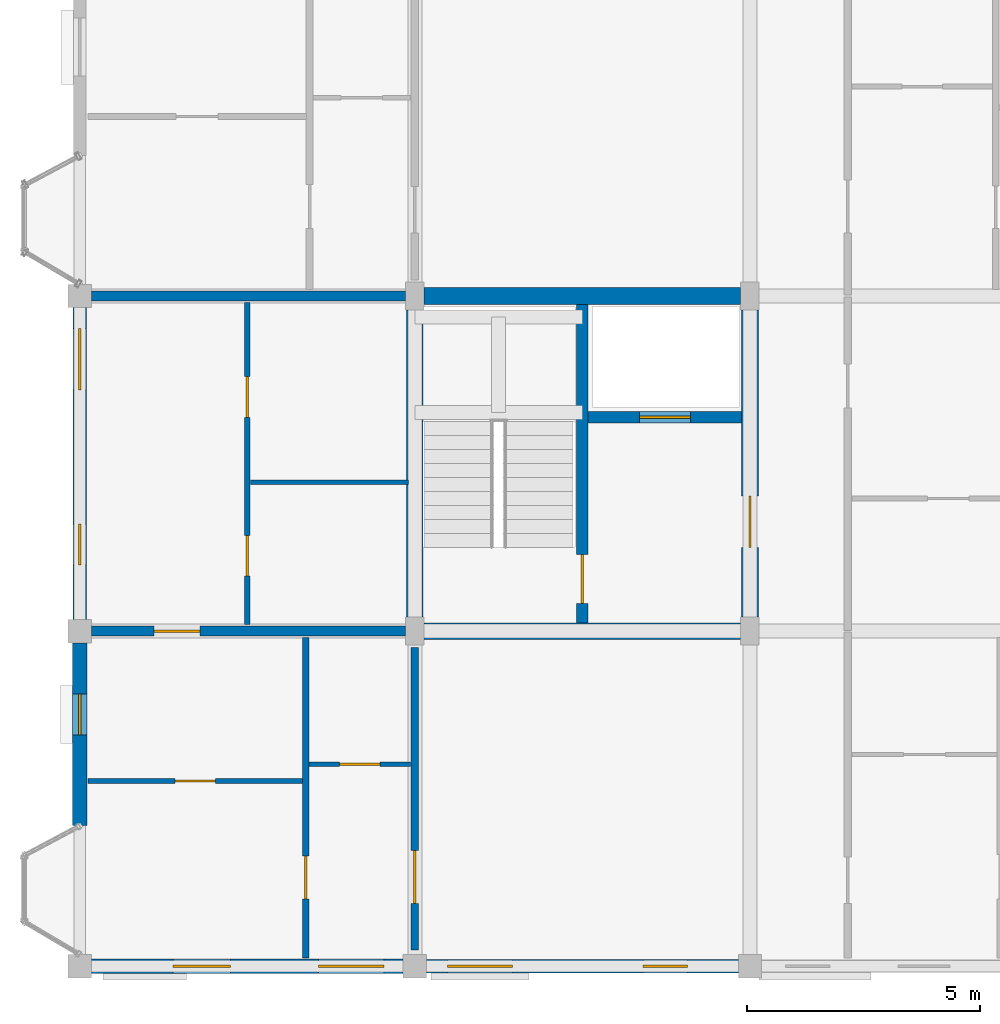
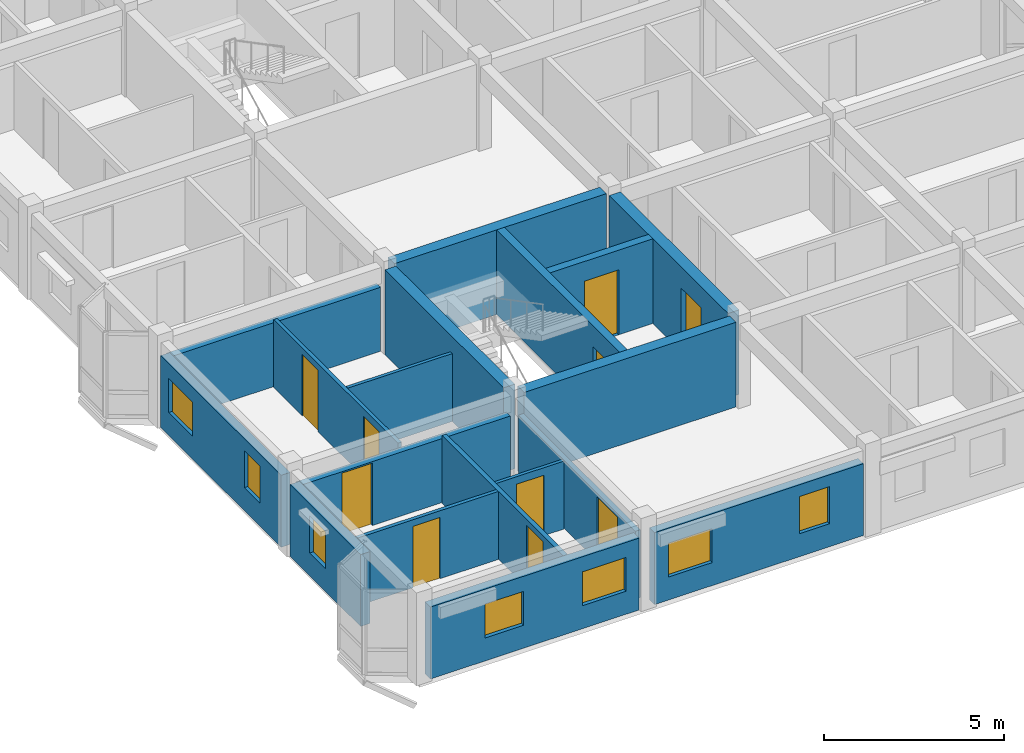
# One storey, part 45 of 65: 18 walls, 10 doors, 7 windows, 17 openings.
"""IFC4 building model written with IfcOpenShell, lengths in metres."""

from ifc_helpers import new_model, si_unit, direction, frame, frame_2d, origin, place, context, subcontext, project, spatial, rectangle, extrude, material, layer, layer_set, type_object, element, fill, save


model = new_model("IFC4")

# Units and contexts
model_context = context("Model", 3, precision=1e-05, world=origin(), true_north=direction((0.0, 1.0)))
body_context = subcontext(model_context, "Body", "Model", "MODEL_VIEW")
ifc_project = project(units=[si_unit("LENGTHUNIT", "METRE"), si_unit("AREAUNIT", "SQUARE_METRE"), si_unit("VOLUMEUNIT", "CUBIC_METRE"), si_unit("PLANEANGLEUNIT", "RADIAN"), si_unit("MASSUNIT", "GRAM", prefix="KILO"), si_unit("THERMODYNAMICTEMPERATUREUNIT", "KELVIN"), si_unit("POWERUNIT", "WATT")], contexts=[model_context])

# Site, building, storey
site_placement = place(None, origin())
site = spatial("IfcSite", under=ifc_project, at=site_placement, CompositionType="ELEMENT")
building_placement = place(site_placement, origin())
building = spatial("IfcBuilding", under=site, at=building_placement, Name="Tavuni Mirador Residences", CompositionType="ELEMENT")
storey_placement = place(building_placement, frame((0.0, 0.0, 29.699951171875)))
storey = spatial("IfcBuildingStorey", under=building, at=storey_placement, Name="L09", CompositionType="ELEMENT", Elevation=29.699951171875)

# Wall, opening, door
ifc_material_1 = material(Name="Precast concrete C40/50", Category="concrete")
ifc_layer_1 = layer(ifc_material_1, 0.25, Name="Precast concrete C40/50", Category="concrete")
ifc_layer_set_1 = layer_set([ifc_layer_1], Name="Precast concrete C40/50")
wall_type_1 = type_object("IfcWallType", Name="WT-COR250", PredefinedType="SHEAR", material=ifc_layer_set_1)
wall_1_placement = place(storey_placement, frame((14.39990234375, 14.580078125, 0.0), z_axis=(0.0, 0.0, 1.0), x_axis=(0.0, 1.0, 0.0)))
wall_1 = element("IfcWall", 1, at=wall_1_placement, inside=storey, type_object=wall_type_1, Name="CWALL-C1-L09-MID", PredefinedType="SHEAR", context=body_context, shape_type="SweptSolid", body=[
    extrude(rectangle(XDim=6.83984375, YDim=0.25, at=frame_2d((3.419921875, 0.0))), origin(), (0.0, 0.0, 1.0), 2.8701171875),
])
opening_1_placement = place(wall_1_placement, frame((0.419921875, 0.0, 0.0)))
opening_1 = element("IfcOpeningElement", 2, at=opening_1_placement, cuts=wall_1, Name="Opening D-01", PredefinedType="OPENING", context=body_context, shape_type="SweptSolid", body=[
    extrude(rectangle(XDim=1.050048828125, YDim=2.14990234375, at=frame_2d((0.52490234375, 1.074951171875))), frame((0.0, 0.135009765625, 0.0), z_axis=(0.0, -1.0, 0.0), x_axis=(1.0, 0.0, 0.0)), (0.0, 0.0, 1.0), 0.27001953125),
])
ifc_material_2 = material(Name="Solid core iroko timber", Category="wood")
door_type_1 = type_object("IfcDoorType", Name="DT-ST1050", OperationType="NOTDEFINED", PredefinedType="DOOR", material=ifc_material_2)
door_1_placement = place(opening_1_placement, origin())
door_1 = element("IfcDoor", 3, at=door_1_placement, inside=storey, type_object=door_type_1, Name="DR-2034", OperationType="SINGLE_SWING_RIGHT", OverallHeight=2.14990234375, OverallWidth=1.050048828125, PredefinedType="DOOR", context=body_context, shape_type="SweptSolid", body=[
    extrude(rectangle(XDim=1.050048828125, YDim=2.14990234375, at=frame_2d((0.52490234375, 1.074951171875))), frame((0.0, 0.02490234375, 0.0), z_axis=(0.0, -1.0, 0.0), x_axis=(1.0, 0.0, 0.0)), (0.0, 0.0, 1.0), 0.050048828125),
])
fill(opening_1, door_1)

wall_2_placement = place(storey_placement, frame((14.52490234375, 19.0, 0.0), z_axis=(0.0, 0.0, 1.0), x_axis=(1.0, 0.0, 0.0)))
wall_2 = element("IfcWall", 4, at=wall_2_placement, inside=storey, type_object=wall_type_1, Name="CWALL-C1-L09-SHF", PredefinedType="SHEAR", context=body_context, shape_type="SweptSolid", body=[
    extrude(rectangle(XDim=3.295166015625, YDim=0.25, at=frame_2d((1.6474609375, 0.0))), origin(), (0.0, 0.0, 1.0), 2.8701171875),
])
opening_2_placement = place(wall_2_placement, frame((1.10009765625, 0.0, 0.0)))
opening_2 = element("IfcOpeningElement", 5, at=opening_2_placement, cuts=wall_2, Name="Opening LD-01", PredefinedType="OPENING", context=body_context, shape_type="SweptSolid", body=[
    extrude(rectangle(XDim=1.10009765625, YDim=2.199951171875, at=frame_2d((0.550048828125, 1.10009765625))), frame((0.0, 0.135009765625, 0.0), z_axis=(0.0, -1.0, 0.0), x_axis=(1.0, 0.0, 0.0)), (0.0, 0.0, 1.0), 0.27001953125),
])
ifc_material_3 = material(Name="Structural steel S355", Category="steel")
door_type_2 = type_object("IfcDoorType", Name="DT-LD-FF", OperationType="SLIDING_TO_LEFT", PredefinedType="DOOR", material=ifc_material_3)
door_2_placement = place(opening_2_placement, origin())
door_2 = element("IfcDoor", 6, at=door_2_placement, inside=storey, type_object=door_type_2, Name="Lift landing door FL-A1 L09", OperationType="SLIDING_TO_LEFT", OverallHeight=2.199951171875, OverallWidth=1.10009765625, PredefinedType="DOOR", context=body_context, shape_type="SweptSolid", body=[
    extrude(rectangle(XDim=1.10009765625, YDim=2.199951171875, at=frame_2d((0.550048828125, 1.10009765625))), frame((0.0, 0.02490234375, 0.0), z_axis=(0.0, -1.0, 0.0), x_axis=(1.0, 0.0, 0.0)), (0.0, 0.0, 1.0), 0.050048828125),
])
fill(opening_2, door_2)

# Walls
ifc_layer_2 = layer(ifc_material_1, 0.360107421875, Name="Precast concrete C40/50", Category="concrete")
ifc_layer_set_2 = layer_set([ifc_layer_2], Name="Precast concrete C40/50")
wall_type_2 = type_object("IfcWallType", Name="WT-COR360", PredefinedType="SHEAR", material=ifc_layer_set_2)
wall_3_placement = place(storey_placement, frame((10.800048828125, 14.699951171875, 0.0), z_axis=(0.0, 0.0, 1.0), x_axis=(0.0, 1.0, 0.0)))
element("IfcWall", 7, at=wall_3_placement, inside=storey, type_object=wall_type_2, Name="CWALL-C1-L09-W", PredefinedType="SHEAR", context=body_context, shape_type="SweptSolid", body=[
    extrude(rectangle(XDim=6.60009765625, YDim=0.360107421875, at=frame_2d((3.300048828125, 0.0))), origin(), (0.0, 0.0, 1.0), 2.8701171875),
])
wall_4_placement = place(storey_placement, frame((11.0, 21.60009765625, 0.0), z_axis=(0.0, 0.0, 1.0), x_axis=(1.0, 0.0, 0.0)))
element("IfcWall", 8, at=wall_4_placement, inside=storey, type_object=wall_type_2, Name="CWALL-C1-L09-N", PredefinedType="SHEAR", context=body_context, shape_type="SweptSolid", body=[
    extrude(rectangle(XDim=6.800048828125, YDim=0.360107421875, at=frame_2d((3.39990234375, 0.0))), origin(), (0.0, 0.0, 1.0), 2.8701171875),
])

# Wall, opening, door
wall_5_placement = place(storey_placement, frame((18.0, 14.699951171875, 0.0), z_axis=(0.0, 0.0, 1.0), x_axis=(0.0, 1.0, 0.0)))
wall_5 = element("IfcWall", 9, at=wall_5_placement, inside=storey, type_object=wall_type_2, Name="CWALL-C1-L09-E", PredefinedType="SHEAR", context=body_context, shape_type="SweptSolid", body=[
    extrude(rectangle(XDim=6.60009765625, YDim=0.360107421875, at=frame_2d((3.300048828125, 0.0))), origin(), (0.0, 0.0, 1.0), 2.8701171875),
])
opening_3_placement = place(wall_5_placement, frame((1.5, 0.0, 0.0)))
opening_3 = element("IfcOpeningElement", 10, at=opening_3_placement, cuts=wall_5, Name="Opening D-02", PredefinedType="OPENING", context=body_context, shape_type="SweptSolid", body=[
    extrude(rectangle(XDim=1.10009765625, YDim=2.14990234375, at=frame_2d((0.550048828125, 1.074951171875))), frame((0.0, 0.18994140625, 0.0), z_axis=(0.0, -1.0, 0.0), x_axis=(1.0, 0.0, 0.0)), (0.0, 0.0, 1.0), 0.380126953125),
])
door_type_3 = type_object("IfcDoorType", Name="DT-LOB1100", OperationType="NOTDEFINED", PredefinedType="DOOR", material=ifc_material_2)
door_3_placement = place(opening_3_placement, frame((1.10009765625, 0.0, 0.0), z_axis=(0.0, 0.0, 1.0), x_axis=(-1.0, 0.0, 0.0)))
door_3 = element("IfcDoor", 11, at=door_3_placement, inside=storey, type_object=door_type_3, Name="DR-2033", OperationType="SINGLE_SWING_RIGHT", OverallHeight=2.14990234375, OverallWidth=1.10009765625, PredefinedType="DOOR", context=body_context, shape_type="SweptSolid", body=[
    extrude(rectangle(XDim=1.10009765625, YDim=2.14990234375, at=frame_2d((0.550048828125, 1.074951171875))), frame((0.0, 0.02490234375, 0.0), z_axis=(0.0, -1.0, 0.0), x_axis=(1.0, 0.0, 0.0)), (0.0, 0.0, 1.0), 0.050048828125),
])
fill(opening_3, door_3)

# Wall
wall_6_placement = place(storey_placement, frame((11.0, 14.39990234375, 0.0), z_axis=(0.0, 0.0, 1.0), x_axis=(1.0, 0.0, 0.0)))
element("IfcWall", 12, at=wall_6_placement, inside=storey, type_object=wall_type_2, Name="CWALL-C1-L09-SS", PredefinedType="SHEAR", context=body_context, shape_type="SweptSolid", body=[
    extrude(rectangle(XDim=6.800048828125, YDim=0.360107421875, at=frame_2d((3.39990234375, 0.0))), origin(), (0.0, 0.0, 1.0), 2.8701171875),
])

# Wall, opening, door
ifc_layer_3 = layer(ifc_material_1, 0.1650390625, Name="Precast concrete C40/50", Category="concrete")
ifc_layer_set_3 = layer_set([ifc_layer_3], Name="Precast concrete C40/50")
wall_type_3 = type_object("IfcWallType", Name="WT-CORR165", PredefinedType="PARTITIONING", material=ifc_layer_set_3)
wall_7_placement = place(storey_placement, frame((10.800048828125, 7.550048828125, 0.0), z_axis=(0.0, 0.0, 1.0), x_axis=(0.0, 1.0, 0.0)))
wall_7 = element("IfcWall", 13, at=wall_7_placement, inside=storey, type_object=wall_type_3, Name="CORW-BLK-A-L09-1-00", PredefinedType="PARTITIONING", context=body_context, shape_type="SweptSolid", body=[
    extrude(rectangle(XDim=6.5, YDim=0.1650390625, at=frame_2d((3.25, 0.0))), origin(), (0.0, 0.0, 1.0), 2.304931640625),
])
opening_4_placement = place(wall_7_placement, frame((1.0, 0.0, 0.0)))
opening_4 = element("IfcOpeningElement", 14, at=opening_4_placement, cuts=wall_7, Name="Opening D-20", PredefinedType="OPENING", context=body_context, shape_type="SweptSolid", body=[
    extrude(rectangle(XDim=1.139892578125, YDim=2.179931640625, at=frame_2d((0.56982421875, 1.08984375))), frame((0.0, 0.092529296875, 0.0), z_axis=(0.0, -1.0, 0.0), x_axis=(1.0, 0.0, 0.0)), (0.0, 0.0, 1.0), 0.18505859375),
])
door_type_4 = type_object("IfcDoorType", Name="DT-FD60-1140", OperationType="NOTDEFINED", PredefinedType="DOOR", material=ifc_material_2)
door_4_placement = place(opening_4_placement, origin())
door_4 = element("IfcDoor", 15, at=door_4_placement, inside=storey, type_object=door_type_4, Name="DR-2474", OperationType="SINGLE_SWING_LEFT", OverallHeight=2.179931640625, OverallWidth=1.139892578125, PredefinedType="DOOR", context=body_context, shape_type="SweptSolid", body=[
    extrude(rectangle(XDim=1.139892578125, YDim=2.179931640625, at=frame_2d((0.56982421875, 1.08984375))), frame((0.0, 0.02490234375, 0.0), z_axis=(0.0, -1.0, 0.0), x_axis=(1.0, 0.0, 0.0)), (0.0, 0.0, 1.0), 0.050048828125),
])
fill(opening_4, door_4)

# Wall, openings, windows
ifc_material_4 = material(Name="Sgraffito lime-rendered precast concrete C40/50", Category="concrete")
ifc_layer_4 = layer(ifc_material_4, 0.2900390625, Name="Sgraffito lime-rendered precast concrete C40/50", Category="concrete")
ifc_layer_set_4 = layer_set([ifc_layer_4], Name="Sgraffito lime-rendered precast concrete C40/50")
wall_type_4 = type_object("IfcWallType", Name="WT-EXT-PC290", PredefinedType="SOLIDWALL", material=ifc_layer_set_4)
wall_8_placement = place(storey_placement, frame((11.050048828125, 7.199951171875, 0.0), z_axis=(0.0, 0.0, 1.0), x_axis=(1.0, 0.0, 0.0)))
wall_8 = element("IfcWall", 16, at=wall_8_placement, inside=storey, type_object=wall_type_4, Name="EW-BLK-A-L09-S01", PredefinedType="SOLIDWALL", context=body_context, shape_type="SweptSolid", body=[
    extrude(rectangle(XDim=6.699951171875, YDim=0.2900390625, at=frame_2d((3.35009765625, 0.0))), origin(), (0.0, 0.0, 1.0), 2.43994140625),
])
opening_5_placement = place(wall_8_placement, frame((0.449951171875, 0.0, 0.780029296875)))
opening_5 = element("IfcOpeningElement", 17, at=opening_5_placement, cuts=wall_8, Name="Opening WN-08", PredefinedType="OPENING", context=body_context, shape_type="SweptSolid", body=[
    extrude(rectangle(XDim=1.39990234375, YDim=1.14990234375, at=frame_2d((0.699951171875, 0.574951171875))), frame((0.0, 0.155029296875, 0.0), z_axis=(0.0, -1.0, 0.0), x_axis=(1.0, 0.0, 0.0)), (0.0, 0.0, 1.0), 0.31005859375),
])
opening_6_placement = place(wall_8_placement, frame((4.64990234375, 0.0, 0.780029296875)))
opening_6 = element("IfcOpeningElement", 18, at=opening_6_placement, cuts=wall_8, Name="Opening WN-10", PredefinedType="OPENING", context=body_context, shape_type="SweptSolid", body=[
    extrude(rectangle(XDim=0.9599609375, YDim=1.260009765625, at=frame_2d((0.47998046875, 0.6298828125))), frame((0.0, 0.155029296875, 0.0), z_axis=(0.0, -1.0, 0.0), x_axis=(1.0, 0.0, 0.0)), (0.0, 0.0, 1.0), 0.31005859375),
])
ifc_material_5 = material(Name="Laminated solar-control glass", Category="glass")
window_type_1 = type_object("IfcWindowType", Name="WNT-08", PartitioningType="SINGLE_PANEL", PredefinedType="WINDOW", material=ifc_material_5)
window_1_placement = place(opening_5_placement, origin())
window_1 = element("IfcWindow", 19, at=window_1_placement, inside=storey, type_object=window_type_1, Name="WIN-0328", OverallHeight=1.14990234375, OverallWidth=1.39990234375, PartitioningType="SINGLE_PANEL", PredefinedType="WINDOW", context=body_context, shape_type="SweptSolid", body=[
    extrude(rectangle(XDim=1.39990234375, YDim=1.14990234375, at=frame_2d((0.699951171875, 0.574951171875))), frame((0.0, 0.030029296875, 0.0), z_axis=(0.0, -1.0, 0.0), x_axis=(1.0, 0.0, 0.0)), (0.0, 0.0, 1.0), 0.06005859375),
])
fill(opening_5, window_1)
window_type_2 = type_object("IfcWindowType", Name="WNT-10", PartitioningType="SINGLE_PANEL", PredefinedType="WINDOW", material=ifc_material_5)
window_2_placement = place(opening_6_placement, origin())
window_2 = element("IfcWindow", 20, at=window_2_placement, inside=storey, type_object=window_type_2, Name="WIN-0329", OverallHeight=1.260009765625, OverallWidth=0.9599609375, PartitioningType="SINGLE_PANEL", PredefinedType="WINDOW", context=body_context, shape_type="SweptSolid", body=[
    extrude(rectangle(XDim=0.9599609375, YDim=1.260009765625, at=frame_2d((0.47998046875, 0.6298828125))), frame((0.0, 0.030029296875, 0.0), z_axis=(0.0, -1.0, 0.0), x_axis=(1.0, 0.0, 0.0)), (0.0, 0.0, 1.0), 0.06005859375),
])
fill(opening_6, window_2)

wall_9_placement = place(storey_placement, frame((3.60009765625, 21.35009765625, 0.0), z_axis=(0.0, 0.0, 1.0), x_axis=(0.0, -1.0, 0.0)))
wall_9 = element("IfcWall", 21, at=wall_9_placement, inside=storey, type_object=wall_type_4, Name="EW-BLK-A-L09-W01", PredefinedType="SOLIDWALL", context=body_context, shape_type="SweptSolid", body=[
    extrude(rectangle(XDim=6.7001953125, YDim=0.2900390625, at=frame_2d((3.35009765625, 0.0))), origin(), (0.0, 0.0, 1.0), 2.43994140625),
])
opening_7_placement = place(wall_9_placement, frame((0.449951171875, 0.0, 0.780029296875)))
opening_7 = element("IfcOpeningElement", 22, at=opening_7_placement, cuts=wall_9, Name="Opening WN-07", PredefinedType="OPENING", context=body_context, shape_type="SweptSolid", body=[
    extrude(rectangle(XDim=1.320068359375, YDim=1.14990234375, at=frame_2d((0.66015625, 0.574951171875))), frame((0.0, 0.155029296875, 0.0), z_axis=(0.0, -1.0, 0.0), x_axis=(1.0, 0.0, 0.0)), (0.0, 0.0, 1.0), 0.31005859375),
])
opening_8_placement = place(wall_9_placement, frame((4.64990234375, 0.0, 0.780029296875)))
opening_8 = element("IfcOpeningElement", 23, at=opening_8_placement, cuts=wall_9, Name="Opening WN-09", PredefinedType="OPENING", context=body_context, shape_type="SweptSolid", body=[
    extrude(rectangle(XDim=0.8798828125, YDim=1.260009765625, at=frame_2d((0.43994140625, 0.6298828125))), frame((0.0, 0.155029296875, 0.0), z_axis=(0.0, -1.0, 0.0), x_axis=(1.0, 0.0, 0.0)), (0.0, 0.0, 1.0), 0.31005859375),
])
window_type_3 = type_object("IfcWindowType", Name="WNT-07", PartitioningType="SINGLE_PANEL", PredefinedType="WINDOW", material=ifc_material_5)
window_3_placement = place(opening_7_placement, origin())
window_3 = element("IfcWindow", 24, at=window_3_placement, inside=storey, type_object=window_type_3, Name="WIN-0357", OverallHeight=1.14990234375, OverallWidth=1.320068359375, PartitioningType="SINGLE_PANEL", PredefinedType="WINDOW", context=body_context, shape_type="SweptSolid", body=[
    extrude(rectangle(XDim=1.320068359375, YDim=1.14990234375, at=frame_2d((0.66015625, 0.574951171875))), frame((0.0, 0.030029296875, 0.0), z_axis=(0.0, -1.0, 0.0), x_axis=(1.0, 0.0, 0.0)), (0.0, 0.0, 1.0), 0.06005859375),
])
fill(opening_7, window_3)
window_type_4 = type_object("IfcWindowType", Name="WNT-09", PartitioningType="SINGLE_PANEL", PredefinedType="WINDOW", material=ifc_material_5)
window_4_placement = place(opening_8_placement, origin())
window_4 = element("IfcWindow", 25, at=window_4_placement, inside=storey, type_object=window_type_4, Name="WIN-0358", OverallHeight=1.260009765625, OverallWidth=0.8798828125, PartitioningType="SINGLE_PANEL", PredefinedType="WINDOW", context=body_context, shape_type="SweptSolid", body=[
    extrude(rectangle(XDim=0.8798828125, YDim=1.260009765625, at=frame_2d((0.43994140625, 0.6298828125))), frame((0.0, 0.030029296875, 0.0), z_axis=(0.0, -1.0, 0.0), x_axis=(1.0, 0.0, 0.0)), (0.0, 0.0, 1.0), 0.06005859375),
])
fill(opening_8, window_4)

ifc_layer_5 = layer(ifc_material_4, 0.304931640625, Name="Sgraffito lime-rendered precast concrete C40/50", Category="concrete")
ifc_layer_set_5 = layer_set([ifc_layer_5], Name="Sgraffito lime-rendered precast concrete C40/50")
wall_type_5 = type_object("IfcWallType", Name="WT-EXT-PC305", PredefinedType="SOLIDWALL", material=ifc_layer_set_5)
wall_10_placement = place(storey_placement, frame((3.85009765625, 7.199951171875, 0.0), z_axis=(0.0, 0.0, 1.0), x_axis=(1.0, 0.0, 0.0)))
wall_10 = element("IfcWall", 26, at=wall_10_placement, inside=storey, type_object=wall_type_5, Name="EW-BLK-A-L09-S00", PredefinedType="SOLIDWALL", context=body_context, shape_type="SweptSolid", body=[
    extrude(rectangle(XDim=6.699951171875, YDim=0.304931640625, at=frame_2d((3.35009765625, 0.0))), origin(), (0.0, 0.0, 1.0), 2.43994140625),
])
opening_9_placement = place(wall_10_placement, frame((1.7548828125, 0.0, 0.780029296875)))
opening_9 = element("IfcOpeningElement", 27, at=opening_9_placement, cuts=wall_10, Name="Opening WN-06", PredefinedType="OPENING", context=body_context, shape_type="SweptSolid", body=[
    extrude(rectangle(XDim=1.239990234375, YDim=1.14990234375, at=frame_2d((0.6201171875, 0.574951171875))), frame((0.0, 0.16259765625, 0.0), z_axis=(0.0, -1.0, 0.0), x_axis=(1.0, 0.0, 0.0)), (0.0, 0.0, 1.0), 0.324951171875),
])
opening_10_placement = place(wall_10_placement, frame((4.885009765625, 0.0, 0.780029296875)))
opening_10 = element("IfcOpeningElement", 28, at=opening_10_placement, cuts=wall_10, Name="Opening WN-08", PredefinedType="OPENING", context=body_context, shape_type="SweptSolid", body=[
    extrude(rectangle(XDim=1.39990234375, YDim=1.14990234375, at=frame_2d((0.699951171875, 0.574951171875))), frame((0.0, 0.16259765625, 0.0), z_axis=(0.0, -1.0, 0.0), x_axis=(1.0, 0.0, 0.0)), (0.0, 0.0, 1.0), 0.324951171875),
])
window_type_5 = type_object("IfcWindowType", Name="WNT-06", PartitioningType="SINGLE_PANEL", PredefinedType="WINDOW", material=ifc_material_5)
window_5_placement = place(opening_9_placement, origin())
window_5 = element("IfcWindow", 29, at=window_5_placement, inside=storey, type_object=window_type_5, Name="WIN-0326", OverallHeight=1.14990234375, OverallWidth=1.239990234375, PartitioningType="SINGLE_PANEL", PredefinedType="WINDOW", context=body_context, shape_type="SweptSolid", body=[
    extrude(rectangle(XDim=1.239990234375, YDim=1.14990234375, at=frame_2d((0.6201171875, 0.574951171875))), frame((0.0, 0.030029296875, 0.0), z_axis=(0.0, -1.0, 0.0), x_axis=(1.0, 0.0, 0.0)), (0.0, 0.0, 1.0), 0.06005859375),
])
fill(opening_9, window_5)
window_6_placement = place(opening_10_placement, origin())
window_6 = element("IfcWindow", 30, at=window_6_placement, inside=storey, type_object=window_type_1, Name="WIN-0327", OverallHeight=1.14990234375, OverallWidth=1.39990234375, PartitioningType="SINGLE_PANEL", PredefinedType="WINDOW", context=body_context, shape_type="SweptSolid", body=[
    extrude(rectangle(XDim=1.39990234375, YDim=1.14990234375, at=frame_2d((0.699951171875, 0.574951171875))), frame((0.0, 0.030029296875, 0.0), z_axis=(0.0, -1.0, 0.0), x_axis=(1.0, 0.0, 0.0)), (0.0, 0.0, 1.0), 0.06005859375),
])
fill(opening_10, window_6)

# Wall, opening, window
wall_11_placement = place(storey_placement, frame((3.60009765625, 14.14990234375, 0.0), z_axis=(0.0, 0.0, 1.0), x_axis=(0.0, -1.0, 0.0)))
wall_11 = element("IfcWall", 31, at=wall_11_placement, inside=storey, type_object=wall_type_5, Name="EW-BLK-A-L09-W00", PredefinedType="SOLIDWALL", context=body_context, shape_type="SweptSolid", body=[
    extrude(rectangle(XDim=3.929931640625, YDim=0.304931640625, at=frame_2d((1.96484375, 0.0))), origin(), (0.0, 0.0, 1.0), 2.43994140625),
])
opening_11_placement = place(wall_11_placement, frame((1.10009765625, 0.0, 0.780029296875)))
opening_11 = element("IfcOpeningElement", 32, at=opening_11_placement, cuts=wall_11, Name="Opening WN-09", PredefinedType="OPENING", context=body_context, shape_type="SweptSolid", body=[
    extrude(rectangle(XDim=0.8798828125, YDim=1.260009765625, at=frame_2d((0.43994140625, 0.6298828125))), frame((0.0, 0.16259765625, 0.0), z_axis=(0.0, -1.0, 0.0), x_axis=(1.0, 0.0, 0.0)), (0.0, 0.0, 1.0), 0.324951171875),
])
window_7_placement = place(opening_11_placement, origin())
window_7 = element("IfcWindow", 33, at=window_7_placement, inside=storey, type_object=window_type_4, Name="WIN-0359", OverallHeight=1.260009765625, OverallWidth=0.8798828125, PartitioningType="SINGLE_PANEL", PredefinedType="WINDOW", context=body_context, shape_type="SweptSolid", body=[
    extrude(rectangle(XDim=0.8798828125, YDim=1.260009765625, at=frame_2d((0.43994140625, 0.6298828125))), frame((0.0, 0.030029296875, 0.0), z_axis=(0.0, -1.0, 0.0), x_axis=(1.0, 0.0, 0.0)), (0.0, 0.0, 1.0), 0.06005859375),
])
fill(opening_11, window_7)

# Wall, opening, door
ifc_material_6 = material(Name="Acoustic gypsum and concrete block partition", Category="concrete")
ifc_layer_6 = layer(ifc_material_6, 0.10498046875, Name="Acoustic gypsum and concrete block partition", Category="concrete")
ifc_layer_set_6 = layer_set([ifc_layer_6], Name="Acoustic gypsum and concrete block partition")
wall_type_6 = type_object("IfcWallType", Name="WT-PART105", PredefinedType="PARTITIONING", material=ifc_layer_set_6)
wall_12_placement = place(storey_placement, frame((8.530029296875, 11.5400390625, 0.0), z_axis=(0.0, 0.0, 1.0), x_axis=(1.0, 0.0, 0.0)))
wall_12 = element("IfcWall", 34, at=wall_12_placement, inside=storey, type_object=wall_type_6, Name="PW-BLK-A-L09-W00-IN1", PredefinedType="PARTITIONING", context=body_context, shape_type="SweptSolid", body=[
    extrude(rectangle(XDim=2.179931640625, YDim=0.10498046875, at=frame_2d((1.08984375, 0.0))), origin(), (0.0, 0.0, 1.0), 2.304931640625),
])
opening_12_placement = place(wall_12_placement, frame((0.655029296875, 0.0, 0.0)))
opening_12 = element("IfcOpeningElement", 35, at=opening_12_placement, cuts=wall_12, Name="Opening D-10", PredefinedType="OPENING", context=body_context, shape_type="SweptSolid", body=[
    extrude(rectangle(XDim=0.8701171875, YDim=2.050048828125, at=frame_2d((0.43505859375, 1.02490234375))), frame((0.0, 0.0625, 0.0), z_axis=(0.0, -1.0, 0.0), x_axis=(1.0, 0.0, 0.0)), (0.0, 0.0, 1.0), 0.125),
])
door_type_5 = type_object("IfcDoorType", Name="DT-WC870", OperationType="NOTDEFINED", PredefinedType="DOOR", material=ifc_material_2)
door_5_placement = place(opening_12_placement, origin())
door_5 = element("IfcDoor", 36, at=door_5_placement, inside=storey, type_object=door_type_5, Name="DR-3229", OperationType="SINGLE_SWING_LEFT", OverallHeight=2.050048828125, OverallWidth=0.8701171875, PredefinedType="DOOR", context=body_context, shape_type="SweptSolid", body=[
    extrude(rectangle(XDim=0.8701171875, YDim=2.050048828125, at=frame_2d((0.43505859375, 1.02490234375))), frame((0.0, 0.02490234375, 0.0), z_axis=(0.0, -1.0, 0.0), x_axis=(1.0, 0.0, 0.0)), (0.0, 0.0, 1.0), 0.050048828125),
])
fill(opening_12, door_5)

# Wall
wall_13_placement = place(storey_placement, frame((7.27001953125, 17.60009765625, 0.0), z_axis=(0.0, 0.0, 1.0), x_axis=(1.0, 0.0, 0.0)))
element("IfcWall", 37, at=wall_13_placement, inside=storey, type_object=wall_type_6, Name="PW-BLK-A-L09-WC01-H", PredefinedType="PARTITIONING", context=body_context, shape_type="SweptSolid", body=[
    extrude(rectangle(XDim=3.389892578125, YDim=0.10498046875, at=frame_2d((1.69482421875, 0.0))), origin(), (0.0, 0.0, 1.0), 2.304931640625),
])

# Wall, opening, door
ifc_layer_7 = layer(ifc_material_6, 0.114990234375, Name="Acoustic gypsum and concrete block partition", Category="concrete")
ifc_layer_set_7 = layer_set([ifc_layer_7], Name="Acoustic gypsum and concrete block partition")
wall_type_7 = type_object("IfcWallType", Name="WT-PART115", PredefinedType="PARTITIONING", material=ifc_layer_set_7)
wall_14_placement = place(storey_placement, frame((3.77490234375, 11.179931640625, 0.0), z_axis=(0.0, 0.0, 1.0), x_axis=(1.0, 0.0, 0.0)))
wall_14 = element("IfcWall", 38, at=wall_14_placement, inside=storey, type_object=wall_type_7, Name="PW-BLK-A-L09-W00-OUT", PredefinedType="PARTITIONING", context=body_context, shape_type="SweptSolid", body=[
    extrude(rectangle(XDim=4.614990234375, YDim=0.114990234375, at=frame_2d((2.3076171875, 0.0))), origin(), (0.0, 0.0, 1.0), 2.304931640625),
])
opening_13_placement = place(wall_14_placement, frame((1.867431640625, 0.0, 0.0)))
opening_13 = element("IfcOpeningElement", 39, at=opening_13_placement, cuts=wall_14, Name="Opening D-08", PredefinedType="OPENING", context=body_context, shape_type="SweptSolid", body=[
    extrude(rectangle(XDim=0.8798828125, YDim=2.080078125, at=frame_2d((0.43994140625, 1.0400390625))), frame((0.0, 0.0673828125, 0.0), z_axis=(0.0, -1.0, 0.0), x_axis=(1.0, 0.0, 0.0)), (0.0, 0.0, 1.0), 0.135009765625),
])
door_type_6 = type_object("IfcDoorType", Name="DT-BED880", OperationType="NOTDEFINED", PredefinedType="DOOR", material=ifc_material_2)
door_6_placement = place(opening_13_placement, origin())
door_6 = element("IfcDoor", 40, at=door_6_placement, inside=storey, type_object=door_type_6, Name="DR-3228", OperationType="SINGLE_SWING_RIGHT", OverallHeight=2.080078125, OverallWidth=0.8798828125, PredefinedType="DOOR", context=body_context, shape_type="SweptSolid", body=[
    extrude(rectangle(XDim=0.8798828125, YDim=2.080078125, at=frame_2d((0.43994140625, 1.0400390625))), frame((0.0, 0.02490234375, 0.0), z_axis=(0.0, -1.0, 0.0), x_axis=(1.0, 0.0, 0.0)), (0.0, 0.0, 1.0), 0.050048828125),
])
fill(opening_13, door_6)

# Wall, openings, doors
wall_15_placement = place(storey_placement, frame((7.199951171875, 14.5400390625, 0.0), z_axis=(0.0, 0.0, 1.0), x_axis=(0.0, 1.0, 0.0)))
wall_15 = element("IfcWall", 41, at=wall_15_placement, inside=storey, type_object=wall_type_7, Name="PW-BLK-A-L09-WC01-M", PredefinedType="PARTITIONING", context=body_context, shape_type="SweptSolid", body=[
    extrude(rectangle(XDim=6.919921875, YDim=0.114990234375, at=frame_2d((3.4599609375, 0.0))), origin(), (0.0, 0.0, 1.0), 2.304931640625),
])
opening_14_placement = place(wall_15_placement, frame((1.050048828125, 0.0, 0.0)))
opening_14 = element("IfcOpeningElement", 42, at=opening_14_placement, cuts=wall_15, Name="Opening D-10", PredefinedType="OPENING", context=body_context, shape_type="SweptSolid", body=[
    extrude(rectangle(XDim=0.8701171875, YDim=2.050048828125, at=frame_2d((0.43505859375, 1.02490234375))), frame((0.0, 0.0673828125, 0.0), z_axis=(0.0, -1.0, 0.0), x_axis=(1.0, 0.0, 0.0)), (0.0, 0.0, 1.0), 0.135009765625),
])
opening_15_placement = place(wall_15_placement, frame((4.449951171875, 0.0, 0.0)))
opening_15 = element("IfcOpeningElement", 43, at=opening_15_placement, cuts=wall_15, Name="Opening D-08", PredefinedType="OPENING", context=body_context, shape_type="SweptSolid", body=[
    extrude(rectangle(XDim=0.8798828125, YDim=2.080078125, at=frame_2d((0.43994140625, 1.0400390625))), frame((0.0, 0.0673828125, 0.0), z_axis=(0.0, -1.0, 0.0), x_axis=(1.0, 0.0, 0.0)), (0.0, 0.0, 1.0), 0.135009765625),
])
door_7_placement = place(opening_15_placement, origin())
door_7 = element("IfcDoor", 44, at=door_7_placement, inside=storey, type_object=door_type_6, Name="DR-3235", OperationType="SINGLE_SWING_LEFT", OverallHeight=2.080078125, OverallWidth=0.8798828125, PredefinedType="DOOR", context=body_context, shape_type="SweptSolid", body=[
    extrude(rectangle(XDim=0.8798828125, YDim=2.080078125, at=frame_2d((0.43994140625, 1.0400390625))), frame((0.0, 0.02490234375, 0.0), z_axis=(0.0, -1.0, 0.0), x_axis=(1.0, 0.0, 0.0)), (0.0, 0.0, 1.0), 0.050048828125),
])
fill(opening_15, door_7)
door_8_placement = place(opening_14_placement, origin())
door_8 = element("IfcDoor", 45, at=door_8_placement, inside=storey, type_object=door_type_5, Name="DR-3234", OperationType="SINGLE_SWING_RIGHT", OverallHeight=2.050048828125, OverallWidth=0.8701171875, PredefinedType="DOOR", context=body_context, shape_type="SweptSolid", body=[
    extrude(rectangle(XDim=0.8701171875, YDim=2.050048828125, at=frame_2d((0.43505859375, 1.02490234375))), frame((0.0, 0.02490234375, 0.0), z_axis=(0.0, -1.0, 0.0), x_axis=(1.0, 0.0, 0.0)), (0.0, 0.0, 1.0), 0.050048828125),
])
fill(opening_14, door_8)

# Wall, opening, door
ifc_layer_8 = layer(ifc_material_6, 0.139892578125, Name="Acoustic gypsum and concrete block partition", Category="concrete")
ifc_layer_set_8 = layer_set([ifc_layer_8], Name="Acoustic gypsum and concrete block partition")
wall_type_8 = type_object("IfcWallType", Name="WT-PART140", PredefinedType="PARTITIONING", material=ifc_layer_set_8)
wall_16_placement = place(storey_placement, frame((8.4599609375, 7.375, 0.0), z_axis=(0.0, 0.0, 1.0), x_axis=(0.0, 1.0, 0.0)))
wall_16 = element("IfcWall", 46, at=wall_16_placement, inside=storey, type_object=wall_type_8, Name="PW-BLK-A-L09-W00-MID", PredefinedType="PARTITIONING", context=body_context, shape_type="SweptSolid", body=[
    extrude(rectangle(XDim=6.885009765625, YDim=0.139892578125, at=frame_2d((3.4423828125, 0.0))), origin(), (0.0, 0.0, 1.0), 2.304931640625),
])
opening_16_placement = place(wall_16_placement, frame((1.27490234375, 0.0, 0.0)))
opening_16 = element("IfcOpeningElement", 47, at=opening_16_placement, cuts=wall_16, Name="Opening D-06", PredefinedType="OPENING", context=body_context, shape_type="SweptSolid", body=[
    extrude(rectangle(XDim=0.919921875, YDim=2.10009765625, at=frame_2d((0.4599609375, 1.050048828125))), frame((0.0, 0.080078125, 0.0), z_axis=(0.0, -1.0, 0.0), x_axis=(1.0, 0.0, 0.0)), (0.0, 0.0, 1.0), 0.159912109375),
])
door_type_7 = type_object("IfcDoorType", Name="DT-INT920", OperationType="NOTDEFINED", PredefinedType="DOOR", material=ifc_material_2)
door_9_placement = place(opening_16_placement, origin())
door_9 = element("IfcDoor", 48, at=door_9_placement, inside=storey, type_object=door_type_7, Name="DR-3230", OperationType="SINGLE_SWING_RIGHT", OverallHeight=2.10009765625, OverallWidth=0.919921875, PredefinedType="DOOR", context=body_context, shape_type="SweptSolid", body=[
    extrude(rectangle(XDim=0.919921875, YDim=2.10009765625, at=frame_2d((0.4599609375, 1.050048828125))), frame((0.0, 0.02490234375, 0.0), z_axis=(0.0, -1.0, 0.0), x_axis=(1.0, 0.0, 0.0)), (0.0, 0.0, 1.0), 0.050048828125),
])
fill(opening_16, door_9)

ifc_layer_9 = layer(ifc_material_1, 0.215087890625, Name="Precast concrete C40/50", Category="concrete")
ifc_layer_set_9 = layer_set([ifc_layer_9], Name="Precast concrete C40/50")
wall_type_9 = type_object("IfcWallType", Name="WT-XW215", PredefinedType="SOLIDWALL", material=ifc_layer_set_9)
wall_17_placement = place(storey_placement, frame((3.85009765625, 14.39990234375, 0.0), z_axis=(0.0, 0.0, 1.0), x_axis=(1.0, 0.0, 0.0)))
wall_17 = element("IfcWall", 49, at=wall_17_placement, inside=storey, type_object=wall_type_9, Name="XW-BLK-A-L09-W-01", PredefinedType="SOLIDWALL", context=body_context, shape_type="SweptSolid", body=[
    extrude(rectangle(XDim=6.75, YDim=0.215087890625, at=frame_2d((3.375, 0.0))), origin(), (0.0, 0.0, 1.0), 2.170166015625),
])
opening_17_placement = place(wall_17_placement, frame((1.35009765625, 0.0, 0.0)))
opening_17 = element("IfcOpeningElement", 50, at=opening_17_placement, cuts=wall_17, Name="Opening D-04", PredefinedType="OPENING", context=body_context, shape_type="SweptSolid", body=[
    extrude(rectangle(XDim=0.97998046875, YDim=2.1201171875, at=frame_2d((0.489990234375, 1.06005859375))), frame((0.0, 0.11767578125, 0.0), z_axis=(0.0, -1.0, 0.0), x_axis=(1.0, 0.0, 0.0)), (0.0, 0.0, 1.0), 0.235107421875),
])
door_type_8 = type_object("IfcDoorType", Name="DT-FD60-980", OperationType="NOTDEFINED", PredefinedType="DOOR", material=ifc_material_2)
door_10_placement = place(opening_17_placement, origin())
door_10 = element("IfcDoor", 51, at=door_10_placement, inside=storey, type_object=door_type_8, Name="DR-4692", OperationType="SINGLE_SWING_LEFT", OverallHeight=2.1201171875, OverallWidth=0.97998046875, PredefinedType="DOOR", context=body_context, shape_type="SweptSolid", body=[
    extrude(rectangle(XDim=0.97998046875, YDim=2.1201171875, at=frame_2d((0.489990234375, 1.06005859375))), frame((0.0, 0.02490234375, 0.0), z_axis=(0.0, -1.0, 0.0), x_axis=(1.0, 0.0, 0.0)), (0.0, 0.0, 1.0), 0.050048828125),
])
fill(opening_17, door_10)

# Wall
wall_18_placement = place(storey_placement, frame((3.85009765625, 21.60009765625, 0.0), z_axis=(0.0, 0.0, 1.0), x_axis=(1.0, 0.0, 0.0)))
element("IfcWall", 52, at=wall_18_placement, inside=storey, type_object=wall_type_9, Name="XW-BLK-A-L09-W-02", PredefinedType="SOLIDWALL", context=body_context, shape_type="SweptSolid", body=[
    extrude(rectangle(XDim=6.75, YDim=0.215087890625, at=frame_2d((3.375, 0.0))), origin(), (0.0, 0.0, 1.0), 2.170166015625),
])

save(model, "model.ifc")
